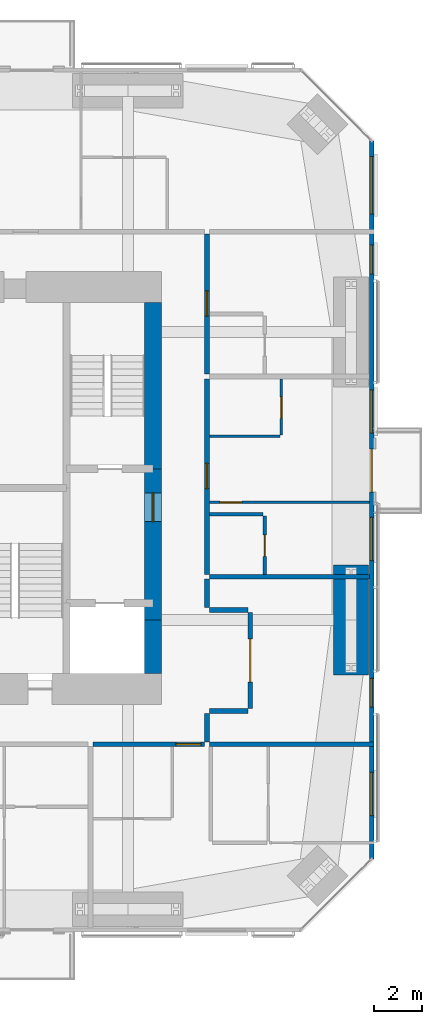
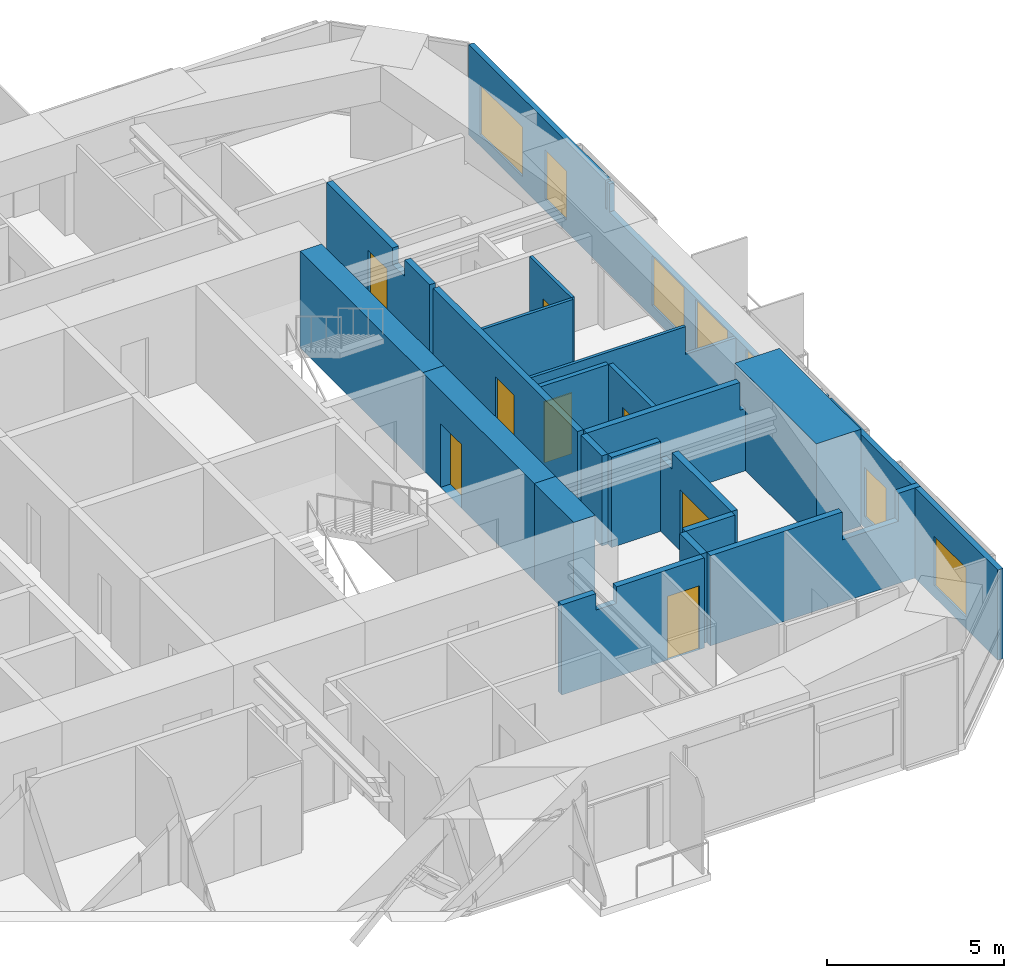
# One storey, part 19 of 22: 20 walls, 9 doors, 6 windows, 15 openings.
"""IFC4 building model written with IfcOpenShell, lengths in metres."""

from ifc_helpers import new_model, si_unit, direction, frame, frame_2d, origin, place, context, subcontext, project, spatial, polyline, rectangle, outline, extrude, material, layer, layer_set, constituent, constituent_set, type_object, element, fill, save


model = new_model("IFC4")

# Units and contexts
model_context = context("Model", 3, precision=1e-05, world=origin(), true_north=direction((0.0, 1.0)))
body_context = subcontext(model_context, "Body", "Model", "MODEL_VIEW")
ifc_project = project(units=[si_unit("LENGTHUNIT", "METRE"), si_unit("AREAUNIT", "SQUARE_METRE"), si_unit("VOLUMEUNIT", "CUBIC_METRE"), si_unit("PLANEANGLEUNIT", "RADIAN"), si_unit("MASSUNIT", "GRAM", prefix="KILO")], contexts=[model_context])

# Site, building, storey
site_placement = place(None, origin())
site = spatial("IfcSite", under=ifc_project, at=site_placement, CompositionType="ELEMENT")
building_placement = place(site_placement, origin())
building = spatial("IfcBuilding", under=site, at=building_placement, Name="Jalousie Tower", CompositionType="ELEMENT")
storey_placement = place(building_placement, frame((0.0, 0.0, 174.449951171875)))
storey = spatial("IfcBuildingStorey", under=building, at=storey_placement, Name="L47", CompositionType="ELEMENT", Elevation=174.449951171875)

# Wall, opening, door
ifc_material_1 = material(Name="Concrete block ASTM C90", Category="concrete")
ifc_constituent_1 = constituent(ifc_material_1, Name="Body")
ifc_material_2 = material(Name="Render")
ifc_constituent_2 = constituent(ifc_material_2, Name="Finish")
ifc_constituent_set_1 = constituent_set(constituents=[ifc_constituent_1, ifc_constituent_2])
wall_type_1 = type_object("IfcWallType", Name="BATHROOM WALL 150", PredefinedType="PLUMBINGWALL", material=ifc_constituent_set_1)
wall_1_placement = place(storey_placement, frame((48.449951171875, 14.89990234375, 0.0), z_axis=(0.0, 0.0, 1.0), x_axis=(0.0, 1.0, 0.0)))
wall_1 = element("IfcWall", 1, at=wall_1_placement, inside=storey, type_object=wall_type_1, Name="Bathroom Wall 150 L47", PredefinedType="PLUMBINGWALL", context=body_context, shape_type="SweptSolid", body=[
    extrude(rectangle(XDim=2.425048828125, YDim=0.14990234375, at=frame_2d((1.21240234375, 0.0))), origin(), (0.0, 0.0, 1.0), 3.110107421875),
])
opening_1_placement = place(wall_1_placement, frame((0.75, 0.0, 0.0)))
opening_1 = element("IfcOpeningElement", 2, at=opening_1_placement, cuts=wall_1, Name="Opening D3", PredefinedType="OPENING", context=body_context, shape_type="SweptSolid", body=[
    extrude(rectangle(XDim=0.89990234375, YDim=2.10009765625, at=frame_2d((0.449951171875, 1.050048828125))), frame((0.0, 0.0849609375, 0.0), z_axis=(0.0, -1.0, 0.0), x_axis=(1.0, 0.0, 0.0)), (0.0, 0.0, 1.0), 0.169921875),
])
ifc_material_3 = material(Name="Timber door", Category="wood")
door_type_1 = type_object("IfcDoorType", Name="BATHROOM DOOR 900", OperationType="SINGLE_SWING_LEFT", PredefinedType="DOOR", material=ifc_material_3)
door_1_placement = place(opening_1_placement, origin())
door_1 = element("IfcDoor", 3, at=door_1_placement, inside=storey, type_object=door_type_1, Name="Apartment 4707 bathroom door", OperationType="SINGLE_SWING_LEFT", OverallHeight=2.10009765625, OverallWidth=0.89990234375, PredefinedType="DOOR", context=body_context, shape_type="SweptSolid", body=[
    extrude(rectangle(XDim=0.89990234375, YDim=2.10009765625, at=frame_2d((0.449951171875, 1.050048828125))), frame((0.0, 0.02490234375, 0.0), z_axis=(0.0, -1.0, 0.0), x_axis=(1.0, 0.0, 0.0)), (0.0, 0.0, 1.0), 0.050048828125),
])
fill(opening_1, door_1)

# Walls
wall_2_placement = place(storey_placement, frame((48.375, 17.39990234375, 0.0), z_axis=(0.0, 0.0, 1.0), x_axis=(-1.0, 0.0, 0.0)))
element("IfcWall", 4, at=wall_2_placement, inside=storey, type_object=wall_type_1, Name="Bathroom Wall 150 L47", PredefinedType="PLUMBINGWALL", context=body_context, shape_type="SweptSolid", body=[
    extrude(rectangle(XDim=2.22509765625, YDim=0.14990234375, at=frame_2d((1.112548828125, 0.0))), origin(), (0.0, 0.0, 1.0), 3.110107421875),
])
ifc_material_4 = material(Name="Concrete f'c 120 MPa", Category="concrete")
ifc_layer_1 = layer(ifc_material_4, 0.699951171875)
ifc_layer_set_1 = layer_set([ifc_layer_1], Name="Concrete f'c 120 MPa")
wall_type_2 = type_object("IfcWallType", Name="CORE WALL 700", PredefinedType="SHEAR", material=ifc_layer_set_1)
wall_3_placement = place(storey_placement, frame((43.800048828125, 10.77490234375, 0.0), z_axis=(0.0, 0.0, 1.0), x_axis=(0.0, 1.0, 0.0)))
element("IfcWall", 5, at=wall_3_placement, inside=storey, type_object=wall_type_2, Name="Core wall EA L47", PredefinedType="SHEAR", context=body_context, shape_type="SweptSolid", body=[
    extrude(rectangle(XDim=2.22509765625, YDim=0.699951171875, at=frame_2d((1.112548828125, 0.0))), origin(), (0.0, 0.0, 1.0), 3.35009765625),
])

# Wall, opening, door
wall_4_placement = place(storey_placement, frame((43.800048828125, 13.0, 0.0), z_axis=(0.0, 0.0, 1.0), x_axis=(0.0, 1.0, 0.0)))
wall_4 = element("IfcWall", 6, at=wall_4_placement, inside=storey, type_object=wall_type_2, Name="Core wall EB L47", PredefinedType="SHEAR", context=body_context, shape_type="SweptSolid", body=[
    extrude(rectangle(XDim=6.300048828125, YDim=0.699951171875, at=frame_2d((3.14990234375, 0.0))), origin(), (0.0, 0.0, 1.0), 3.35009765625),
])
opening_2_placement = place(wall_4_placement, frame((4.10009765625, 0.0, 0.0)))
opening_2 = element("IfcOpeningElement", 7, at=opening_2_placement, cuts=wall_4, Name="Opening D11", PredefinedType="OPENING", context=body_context, shape_type="SweptSolid", body=[
    extrude(rectangle(XDim=1.199951171875, YDim=2.199951171875, at=frame_2d((0.60009765625, 1.10009765625))), frame((0.0, 0.35986328125, 0.0), z_axis=(0.0, -1.0, 0.0), x_axis=(1.0, 0.0, 0.0)), (0.0, 0.0, 1.0), 0.719970703125),
])
ifc_material_5 = material(Name="Steel fire door", Category="steel")
door_type_2 = type_object("IfcDoorType", Name="FIRE DOOR 1200", OperationType="SINGLE_SWING_LEFT", PredefinedType="DOOR", material=ifc_material_5)
door_2_placement = place(opening_2_placement, origin())
door_2 = element("IfcDoor", 8, at=door_2_placement, inside=storey, type_object=door_type_2, Name="Fire-fighting lobby B door", OperationType="SINGLE_SWING_RIGHT", OverallHeight=2.199951171875, OverallWidth=1.199951171875, PredefinedType="DOOR", context=body_context, shape_type="SweptSolid", body=[
    extrude(rectangle(XDim=1.199951171875, YDim=2.199951171875, at=frame_2d((0.60009765625, 1.10009765625))), frame((0.0, 0.02490234375, 0.0), z_axis=(0.0, -1.0, 0.0), x_axis=(1.0, 0.0, 0.0)), (0.0, 0.0, 1.0), 0.050048828125),
])
fill(opening_2, door_2)

# Wall
wall_5_placement = place(storey_placement, frame((43.800048828125, 19.300048828125, 0.0), z_axis=(0.0, 0.0, 1.0), x_axis=(0.0, 1.0, 0.0)))
element("IfcWall", 9, at=wall_5_placement, inside=storey, type_object=wall_type_2, Name="Core wall EC L47", PredefinedType="SHEAR", context=body_context, shape_type="SweptSolid", body=[
    extrude(rectangle(XDim=6.925048828125, YDim=0.699951171875, at=frame_2d((3.46240234375, 0.0))), origin(), (0.0, 0.0, 1.0), 3.35009765625),
])

# Wall, opening, door
ifc_material_6 = material(Name="Concrete block ASTM C90", Category="concrete")
ifc_constituent_3 = constituent(ifc_material_6, Name="Body")
ifc_material_7 = material(Name="Render")
ifc_constituent_4 = constituent(ifc_material_7, Name="Finish")
ifc_constituent_set_2 = constituent_set(constituents=[ifc_constituent_3, ifc_constituent_4])
wall_type_3 = type_object("IfcWallType", Name="CORRIDOR WALL 200", PredefinedType="PARTITIONING", material=ifc_constituent_set_2)
wall_6_placement = place(storey_placement, frame((41.300048828125, 7.824951171875, 0.0), z_axis=(0.0, 0.0, 1.0), x_axis=(1.0, 0.0, 0.0)))
wall_6 = element("IfcWall", 10, at=wall_6_placement, inside=storey, type_object=wall_type_3, Name="Corridor Wall 200 L47", PredefinedType="PARTITIONING", context=body_context, shape_type="SweptSolid", body=[
    extrude(outline(polyline([(0.0, 0.0), (4.64990234375, 0.0), (4.64990234375, 3.110107421875), (1.787353515625, 3.110107421875), (1.787353515625, 2.541015625), (1.112548828125, 2.541015625), (1.112548828125, 3.110107421875), (0.0, 3.110107421875), (0.0, 0.0)])), frame((0.0, 0.10009765625, 0.0), z_axis=(0.0, -1.0, 0.0), x_axis=(1.0, 0.0, 0.0)), (0.0, 0.0, 1.0), 0.199951171875),
])
opening_3_placement = place(wall_6_placement, frame((3.449951171875, 0.0, 0.0)))
opening_3 = element("IfcOpeningElement", 11, at=opening_3_placement, cuts=wall_6, Name="Opening D1", PredefinedType="OPENING", context=body_context, shape_type="SweptSolid", body=[
    extrude(rectangle(XDim=1.050048828125, YDim=2.199951171875, at=frame_2d((0.52490234375, 1.10009765625))), frame((0.0, 0.10986328125, 0.0), z_axis=(0.0, -1.0, 0.0), x_axis=(1.0, 0.0, 0.0)), (0.0, 0.0, 1.0), 0.219970703125),
])
ifc_material_8 = material(Name="Timber fire door", Category="wood")
door_type_3 = type_object("IfcDoorType", Name="APARTMENT ENTRANCE DOOR 1050", OperationType="SINGLE_SWING_LEFT", PredefinedType="DOOR", material=ifc_material_8)
door_3_placement = place(opening_3_placement, frame((1.050048828125, 0.0, 0.0), z_axis=(0.0, 0.0, 1.0), x_axis=(-1.0, 0.0, 0.0)))
door_3 = element("IfcDoor", 12, at=door_3_placement, inside=storey, type_object=door_type_3, Name="Apartment 4703 entrance", OperationType="SINGLE_SWING_RIGHT", OverallHeight=2.199951171875, OverallWidth=1.050048828125, PredefinedType="DOOR", context=body_context, shape_type="SweptSolid", body=[
    extrude(rectangle(XDim=1.050048828125, YDim=2.199951171875, at=frame_2d((0.52490234375, 1.10009765625))), frame((0.0, 0.02490234375, 0.0), z_axis=(0.0, -1.0, 0.0), x_axis=(1.0, 0.0, 0.0)), (0.0, 0.0, 1.0), 0.050048828125),
])
fill(opening_3, door_3)

# Wall
wall_7_placement = place(storey_placement, frame((46.050048828125, 7.925048828125, 0.0), z_axis=(0.0, 0.0, 1.0), x_axis=(0.0, 1.0, 0.0)))
element("IfcWall", 13, at=wall_7_placement, inside=storey, type_object=wall_type_3, Name="Corridor Wall 200 L47", PredefinedType="PARTITIONING", context=body_context, shape_type="SweptSolid", body=[
    extrude(rectangle(XDim=1.1875, YDim=0.199951171875, at=frame_2d((0.59375, 0.0))), origin(), (0.0, 0.0, 1.0), 3.110107421875),
])

# Wall, opening, door
wall_8_placement = place(storey_placement, frame((46.050048828125, 14.89990234375, 0.0), z_axis=(0.0, 0.0, 1.0), x_axis=(0.0, 1.0, 0.0)))
wall_8 = element("IfcWall", 14, at=wall_8_placement, inside=storey, type_object=wall_type_3, Name="Corridor Wall 200 L47", PredefinedType="PARTITIONING", context=body_context, shape_type="SweptSolid", body=[
    extrude(rectangle(XDim=8.150146484375, YDim=0.199951171875, at=frame_2d((4.0751953125, 0.0))), origin(), (0.0, 0.0, 1.0), 3.110107421875),
])
opening_4_placement = place(wall_8_placement, frame((3.574951171875, 0.0, 0.0)))
opening_4 = element("IfcOpeningElement", 15, at=opening_4_placement, cuts=wall_8, Name="Opening D1", PredefinedType="OPENING", context=body_context, shape_type="SweptSolid", body=[
    extrude(rectangle(XDim=1.050048828125, YDim=2.199951171875, at=frame_2d((0.52490234375, 1.10009765625))), frame((0.0, 0.10986328125, 0.0), z_axis=(0.0, -1.0, 0.0), x_axis=(1.0, 0.0, 0.0)), (0.0, 0.0, 1.0), 0.219970703125),
])
door_4_placement = place(opening_4_placement, frame((1.050048828125, 0.0, 0.0), z_axis=(0.0, 0.0, 1.0), x_axis=(-1.0, 0.0, 0.0)))
door_4 = element("IfcDoor", 16, at=door_4_placement, inside=storey, type_object=door_type_3, Name="Apartment 4707 entrance", OperationType="SINGLE_SWING_RIGHT", OverallHeight=2.199951171875, OverallWidth=1.050048828125, PredefinedType="DOOR", context=body_context, shape_type="SweptSolid", body=[
    extrude(rectangle(XDim=1.050048828125, YDim=2.199951171875, at=frame_2d((0.52490234375, 1.10009765625))), frame((0.0, 0.02490234375, 0.0), z_axis=(0.0, -1.0, 0.0), x_axis=(1.0, 0.0, 0.0)), (0.0, 0.0, 1.0), 0.050048828125),
])
fill(opening_4, door_4)

wall_9_placement = place(storey_placement, frame((46.050048828125, 23.25, 0.0), z_axis=(0.0, 0.0, 1.0), x_axis=(0.0, 1.0, 0.0)))
wall_9 = element("IfcWall", 17, at=wall_9_placement, inside=storey, type_object=wall_type_3, Name="Corridor Wall 200 L47", PredefinedType="PARTITIONING", context=body_context, shape_type="SweptSolid", body=[
    extrude(outline(polyline([(0.0, 0.0), (5.824951171875, 0.0), (5.824951171875, 3.110107421875), (2.08740234375, 3.110107421875), (2.08740234375, 2.541015625), (1.41259765625, 2.541015625), (1.41259765625, 3.110107421875), (0.0, 3.110107421875), (0.0, 0.0)])), frame((0.0, 0.10009765625, 0.0), z_axis=(0.0, -1.0, 0.0), x_axis=(1.0, 0.0, 0.0)), (0.0, 0.0, 1.0), 0.199951171875),
])
opening_5_placement = place(wall_9_placement, frame((2.41259765625, 0.0, 0.0)))
opening_5 = element("IfcOpeningElement", 18, at=opening_5_placement, cuts=wall_9, Name="Opening D1", PredefinedType="OPENING", context=body_context, shape_type="SweptSolid", body=[
    extrude(rectangle(XDim=1.050048828125, YDim=2.199951171875, at=frame_2d((0.52490234375, 1.10009765625))), frame((0.0, 0.10986328125, 0.0), z_axis=(0.0, -1.0, 0.0), x_axis=(1.0, 0.0, 0.0)), (0.0, 0.0, 1.0), 0.219970703125),
])
door_5_placement = place(opening_5_placement, frame((1.050048828125, 0.0, 0.0), z_axis=(0.0, 0.0, 1.0), x_axis=(-1.0, 0.0, 0.0)))
door_5 = element("IfcDoor", 19, at=door_5_placement, inside=storey, type_object=door_type_3, Name="Apartment 4708 entrance", OperationType="SINGLE_SWING_LEFT", OverallHeight=2.199951171875, OverallWidth=1.050048828125, PredefinedType="DOOR", context=body_context, shape_type="SweptSolid", body=[
    extrude(rectangle(XDim=1.050048828125, YDim=2.199951171875, at=frame_2d((0.52490234375, 1.10009765625))), frame((0.0, 0.02490234375, 0.0), z_axis=(0.0, -1.0, 0.0), x_axis=(1.0, 0.0, 0.0)), (0.0, 0.0, 1.0), 0.050048828125),
])
fill(opening_5, door_5)

# Wall
wall_10_placement = place(storey_placement, frame((46.050048828125, 13.512451171875, 0.0), z_axis=(0.0, 0.0, 1.0), x_axis=(0.0, 1.0, 0.0)))
element("IfcWall", 20, at=wall_10_placement, inside=storey, type_object=wall_type_3, Name="Corridor Wall 200 L47", PredefinedType="PARTITIONING", context=body_context, shape_type="SweptSolid", body=[
    extrude(rectangle(XDim=1.1875, YDim=0.199951171875, at=frame_2d((0.59375, 0.0))), origin(), (0.0, 0.0, 1.0), 3.110107421875),
])

# Wall, opening, door
wall_11_placement = place(storey_placement, frame((47.85009765625, 9.3125, 0.0), z_axis=(0.0, 0.0, 1.0), x_axis=(0.0, 1.0, 0.0)))
wall_11 = element("IfcWall", 21, at=wall_11_placement, inside=storey, type_object=wall_type_3, Name="Corridor Wall 200 L47", PredefinedType="PARTITIONING", context=body_context, shape_type="SweptSolid", body=[
    extrude(outline(polyline([(0.0, 0.0), (4.0, 0.0), (4.0, 3.110107421875), (4.0, 2.541015625), (3.35009765625, 2.541015625), (3.35009765625, 3.110107421875), (0.0, 3.110107421875), (0.0, 0.0)])), frame((0.0, 0.10009765625, 0.0), z_axis=(0.0, -1.0, 0.0), x_axis=(1.0, 0.0, 0.0)), (0.0, 0.0, 1.0), 0.199951171875),
])
opening_6_placement = place(wall_11_placement, frame((1.10009765625, 0.0, 0.0)))
opening_6 = element("IfcOpeningElement", 22, at=opening_6_placement, cuts=wall_11, Name="Opening D22", PredefinedType="OPENING", context=body_context, shape_type="SweptSolid", body=[
    extrude(rectangle(XDim=1.800048828125, YDim=2.10009765625, at=frame_2d((0.89990234375, 1.050048828125))), frame((0.0, 0.10986328125, 0.0), z_axis=(0.0, -1.0, 0.0), x_axis=(1.0, 0.0, 0.0)), (0.0, 0.0, 1.0), 0.219970703125),
])
ifc_material_9 = material(Name="Timber fire door", Category="wood")
door_type_4 = type_object("IfcDoorType", Name="CORRIDOR DOUBLE DOOR 1800", OperationType="DOUBLE_DOOR_SINGLE_SWING", PredefinedType="DOOR", material=ifc_material_9)
door_6_placement = place(opening_6_placement, frame((1.800048828125, 0.0, 0.0), z_axis=(0.0, 0.0, 1.0), x_axis=(-1.0, 0.0, 0.0)))
door_6 = element("IfcDoor", 23, at=door_6_placement, inside=storey, type_object=door_type_4, Name="Residents' library door", OperationType="DOUBLE_DOOR_SINGLE_SWING", OverallHeight=2.10009765625, OverallWidth=1.800048828125, PredefinedType="DOOR", context=body_context, shape_type="SweptSolid", body=[
    extrude(rectangle(XDim=1.800048828125, YDim=2.10009765625, at=frame_2d((0.89990234375, 1.050048828125))), frame((0.0, 0.02490234375, 0.0), z_axis=(0.0, -1.0, 0.0), x_axis=(1.0, 0.0, 0.0)), (0.0, 0.0, 1.0), 0.050048828125),
])
fill(opening_6, door_6)

# Walls
for number, where, z_axis, x_axis, name in (
    (24, (46.14990234375, 9.21240234375, 0.0), (0.0, 0.0, 1.0), (1.0, 0.0, 0.0), "Corridor Wall 200 L47"),
    (25, (46.14990234375, 13.41259765625, 0.0), (0.0, 0.0, 1.0), (1.0, 0.0, 0.0), "Corridor Wall 200 L47"),
):
    element("IfcWall", number, at=place(storey_placement, frame(where, z_axis=z_axis, x_axis=x_axis)), inside=storey, type_object=wall_type_3, Name=name, PredefinedType="PARTITIONING", context=body_context, shape_type="SweptSolid", body=[
        extrude(rectangle(XDim=1.60009765625, YDim=0.199951171875, at=frame_2d((0.800048828125, 0.0))), origin(), (0.0, 0.0, 1.0), 3.110107421875),
    ])

# Wall, openings, door, windows
ifc_material_10 = material(Name="Concrete f'c 40 MPa", Category="concrete")
ifc_constituent_5 = constituent(ifc_material_10, Name="Body")
ifc_material_11 = material(Name="Render, pastel lemon")
ifc_constituent_6 = constituent(ifc_material_11, Name="Finish")
ifc_constituent_set_3 = constituent_set(constituents=[ifc_constituent_5, ifc_constituent_6])
wall_type_4 = type_object("IfcWallType", Name="EXTERNAL WALL 175 LEMON RENDER", PredefinedType="SOLIDWALL", material=ifc_constituent_set_3)
wall_12_placement = place(storey_placement, frame((52.91259765625, 3.05126953125, 0.0), z_axis=(0.0, 0.0, 1.0), x_axis=(0.0, 1.0, 0.0)))
wall_12 = element("IfcWall", 26, at=wall_12_placement, inside=storey, type_object=wall_type_4, Name="External Wall 175 Lemon Render L47", PredefinedType="SOLIDWALL", context=body_context, shape_type="SweptSolid", body=[
    extrude(outline(polyline([(0.0, 0.0), (29.8974609375, 0.0), (29.8974609375, 3.110107421875), (22.16748046875, 3.110107421875), (22.16748046875, 2.150146484375), (22.073974609375, 2.150146484375), (22.073974609375, 3.110107421875), (21.94873046875, 3.110107421875), (21.94873046875, 2.150146484375), (9.94873046875, 2.150146484375), (9.94873046875, 3.110107421875), (9.846923828125, 3.110107421875), (9.846923828125, 2.150146484375), (9.7060546875, 2.150146484375), (9.7060546875, 3.110107421875), (0.0, 3.110107421875), (0.0, 0.0)])), frame((0.0, 0.08740234375, 0.0), z_axis=(0.0, -1.0, 0.0), x_axis=(1.0, 0.0, 0.0)), (0.0, 0.0, 1.0), 0.175048828125),
])
opening_7_placement = place(wall_12_placement, frame((1.796875, 0.0, 0.39990234375)))
opening_7 = element("IfcOpeningElement", 27, at=opening_7_placement, cuts=wall_12, Name="Opening W-BED170", PredefinedType="OPENING", context=body_context, shape_type="SweptSolid", body=[
    extrude(rectangle(XDim=1.800048828125, YDim=1.699951171875, at=frame_2d((0.89990234375, 0.85009765625))), frame((0.0, 0.097412109375, 0.0), z_axis=(0.0, -1.0, 0.0), x_axis=(1.0, 0.0, 0.0)), (0.0, 0.0, 1.0), 0.195068359375),
])
opening_8_placement = place(wall_12_placement, frame((6.320556640625, 0.0, 0.39990234375)))
opening_8 = element("IfcOpeningElement", 28, at=opening_8_placement, cuts=wall_12, Name="Opening W-COR170", PredefinedType="OPENING", context=body_context, shape_type="SweptSolid", body=[
    extrude(rectangle(XDim=1.199951171875, YDim=1.699951171875, at=frame_2d((0.60009765625, 0.85009765625))), frame((0.0, 0.097412109375, 0.0), z_axis=(0.0, -1.0, 0.0), x_axis=(1.0, 0.0, 0.0)), (0.0, 0.0, 1.0), 0.195068359375),
])
opening_9_placement = place(wall_12_placement, frame((12.423583984375, 0.0, 0.39990234375)))
opening_9 = element("IfcOpeningElement", 29, at=opening_9_placement, cuts=wall_12, Name="Opening W-BED170", PredefinedType="OPENING", context=body_context, shape_type="SweptSolid", body=[
    extrude(rectangle(XDim=1.800048828125, YDim=1.699951171875, at=frame_2d((0.89990234375, 0.85009765625))), frame((0.0, 0.097412109375, 0.0), z_axis=(0.0, -1.0, 0.0), x_axis=(1.0, 0.0, 0.0)), (0.0, 0.0, 1.0), 0.195068359375),
])
opening_10_placement = place(wall_12_placement, frame((15.273681640625, 0.0, 0.0)))
opening_10 = element("IfcOpeningElement", 30, at=opening_10_placement, cuts=wall_12, Name="Opening D-BAL21", PredefinedType="OPENING", context=body_context, shape_type="SweptSolid", body=[
    extrude(rectangle(XDim=1.800048828125, YDim=2.10009765625, at=frame_2d((0.89990234375, 1.050048828125))), frame((0.0, 0.097412109375, 0.0), z_axis=(0.0, -1.0, 0.0), x_axis=(1.0, 0.0, 0.0)), (0.0, 0.0, 1.0), 0.195068359375),
])
opening_11_placement = place(wall_12_placement, frame((17.736083984375, 0.0, 0.39990234375)))
opening_11 = element("IfcOpeningElement", 31, at=opening_11_placement, cuts=wall_12, Name="Opening W-BED170", PredefinedType="OPENING", context=body_context, shape_type="SweptSolid", body=[
    extrude(rectangle(XDim=1.800048828125, YDim=1.699951171875, at=frame_2d((0.89990234375, 0.85009765625))), frame((0.0, 0.097412109375, 0.0), z_axis=(0.0, -1.0, 0.0), x_axis=(1.0, 0.0, 0.0)), (0.0, 0.0, 1.0), 0.195068359375),
])
opening_12_placement = place(wall_12_placement, frame((24.373046875, 0.0, 0.39990234375)))
opening_12 = element("IfcOpeningElement", 32, at=opening_12_placement, cuts=wall_12, Name="Opening W-COR170", PredefinedType="OPENING", context=body_context, shape_type="SweptSolid", body=[
    extrude(rectangle(XDim=1.199951171875, YDim=1.699951171875, at=frame_2d((0.60009765625, 0.85009765625))), frame((0.0, 0.097412109375, 0.0), z_axis=(0.0, -1.0, 0.0), x_axis=(1.0, 0.0, 0.0)), (0.0, 0.0, 1.0), 0.195068359375),
])
opening_13_placement = place(wall_12_placement, frame((26.860595703125, 0.0, 0.39990234375)))
opening_13 = element("IfcOpeningElement", 33, at=opening_13_placement, cuts=wall_12, Name="Opening W-LIV170", PredefinedType="OPENING", context=body_context, shape_type="SweptSolid", body=[
    extrude(rectangle(XDim=2.39990234375, YDim=1.699951171875, at=frame_2d((1.199951171875, 0.85009765625))), frame((0.0, 0.097412109375, 0.0), z_axis=(0.0, -1.0, 0.0), x_axis=(1.0, 0.0, 0.0)), (0.0, 0.0, 1.0), 0.195068359375),
])
ifc_material_12 = material(Name="Aluminium frame, impact-rated glazing", Category="aluminium")
door_type_5 = type_object("IfcDoorType", Name="BALCONY DOOR 1800x2100", OperationType="SLIDING_TO_LEFT", PredefinedType="DOOR", material=ifc_material_12)
door_7_placement = place(opening_10_placement, origin())
door_7 = element("IfcDoor", 34, at=door_7_placement, inside=storey, type_object=door_type_5, Name="Apartment 4707 studio living and sleeping room balcony door", OperationType="SLIDING_TO_LEFT", OverallHeight=2.10009765625, OverallWidth=1.800048828125, PredefinedType="DOOR", context=body_context, shape_type="SweptSolid", body=[
    extrude(rectangle(XDim=1.800048828125, YDim=2.10009765625, at=frame_2d((0.89990234375, 1.050048828125))), frame((0.0, 0.02490234375, 0.0), z_axis=(0.0, -1.0, 0.0), x_axis=(1.0, 0.0, 0.0)), (0.0, 0.0, 1.0), 0.050048828125),
])
fill(opening_10, door_7)
ifc_material_13 = material(Name="Aluminium frame, impact-rated glazing", Category="aluminium")
window_type_1 = type_object("IfcWindowType", Name="WINDOW BED 1800x1700", PartitioningType="SINGLE_PANEL", PredefinedType="WINDOW", material=ifc_material_13)
window_1_placement = place(opening_7_placement, origin())
window_1 = element("IfcWindow", 35, at=window_1_placement, inside=storey, type_object=window_type_1, Name="Apartment 4703 bedroom 1 window", OverallHeight=1.699951171875, OverallWidth=1.800048828125, PartitioningType="SINGLE_PANEL", PredefinedType="WINDOW", context=body_context, shape_type="SweptSolid", body=[
    extrude(rectangle(XDim=1.800048828125, YDim=1.699951171875, at=frame_2d((0.89990234375, 0.85009765625))), frame((0.0, 0.030029296875, 0.0), z_axis=(0.0, -1.0, 0.0), x_axis=(1.0, 0.0, 0.0)), (0.0, 0.0, 1.0), 0.06005859375),
])
fill(opening_7, window_1)
window_2_placement = place(opening_9_placement, origin())
window_2 = element("IfcWindow", 36, at=window_2_placement, inside=storey, type_object=window_type_1, Name="Apartment 4707 study window", OverallHeight=1.699951171875, OverallWidth=1.800048828125, PartitioningType="SINGLE_PANEL", PredefinedType="WINDOW", context=body_context, shape_type="SweptSolid", body=[
    extrude(rectangle(XDim=1.800048828125, YDim=1.699951171875, at=frame_2d((0.89990234375, 0.85009765625))), frame((0.0, 0.030029296875, 0.0), z_axis=(0.0, -1.0, 0.0), x_axis=(1.0, 0.0, 0.0)), (0.0, 0.0, 1.0), 0.06005859375),
])
fill(opening_9, window_2)
window_3_placement = place(opening_11_placement, origin())
window_3 = element("IfcWindow", 37, at=window_3_placement, inside=storey, type_object=window_type_1, Name="Apartment 4707 studio living and sleeping room window", OverallHeight=1.699951171875, OverallWidth=1.800048828125, PartitioningType="SINGLE_PANEL", PredefinedType="WINDOW", context=body_context, shape_type="SweptSolid", body=[
    extrude(rectangle(XDim=1.800048828125, YDim=1.699951171875, at=frame_2d((0.89990234375, 0.85009765625))), frame((0.0, 0.030029296875, 0.0), z_axis=(0.0, -1.0, 0.0), x_axis=(1.0, 0.0, 0.0)), (0.0, 0.0, 1.0), 0.06005859375),
])
fill(opening_11, window_3)
ifc_material_14 = material(Name="Aluminium frame, impact-rated glazing", Category="aluminium")
window_type_2 = type_object("IfcWindowType", Name="WINDOW COR 1200x1700", PartitioningType="SINGLE_PANEL", PredefinedType="WINDOW", material=ifc_material_14)
window_4_placement = place(opening_8_placement, origin())
window_4 = element("IfcWindow", 38, at=window_4_placement, inside=storey, type_object=window_type_2, Name="Residents' library window", OverallHeight=1.699951171875, OverallWidth=1.199951171875, PartitioningType="SINGLE_PANEL", PredefinedType="WINDOW", context=body_context, shape_type="SweptSolid", body=[
    extrude(rectangle(XDim=1.199951171875, YDim=1.699951171875, at=frame_2d((0.60009765625, 0.85009765625))), frame((0.0, 0.030029296875, 0.0), z_axis=(0.0, -1.0, 0.0), x_axis=(1.0, 0.0, 0.0)), (0.0, 0.0, 1.0), 0.06005859375),
])
fill(opening_8, window_4)
window_5_placement = place(opening_12_placement, origin())
window_5 = element("IfcWindow", 39, at=window_5_placement, inside=storey, type_object=window_type_2, Name="Apartment 4708 studio kitchen, living and sleeping room window", OverallHeight=1.699951171875, OverallWidth=1.199951171875, PartitioningType="SINGLE_PANEL", PredefinedType="WINDOW", context=body_context, shape_type="SweptSolid", body=[
    extrude(rectangle(XDim=1.199951171875, YDim=1.699951171875, at=frame_2d((0.60009765625, 0.85009765625))), frame((0.0, 0.030029296875, 0.0), z_axis=(0.0, -1.0, 0.0), x_axis=(1.0, 0.0, 0.0)), (0.0, 0.0, 1.0), 0.06005859375),
])
fill(opening_12, window_5)
ifc_material_15 = material(Name="Aluminium frame, impact-rated glazing", Category="aluminium")
window_type_3 = type_object("IfcWindowType", Name="WINDOW LIV 2400x1700", PartitioningType="DOUBLE_PANEL_VERTICAL", PredefinedType="WINDOW", material=ifc_material_15)
window_6_placement = place(opening_13_placement, origin())
window_6 = element("IfcWindow", 40, at=window_6_placement, inside=storey, type_object=window_type_3, Name="Apartment 4704 living and dining room window", OverallHeight=1.699951171875, OverallWidth=2.39990234375, PartitioningType="SINGLE_PANEL", PredefinedType="WINDOW", context=body_context, shape_type="SweptSolid", body=[
    extrude(rectangle(XDim=2.39990234375, YDim=1.699951171875, at=frame_2d((1.199951171875, 0.85009765625))), frame((0.0, 0.030029296875, 0.0), z_axis=(0.0, -1.0, 0.0), x_axis=(1.0, 0.0, 0.0)), (0.0, 0.0, 1.0), 0.06005859375),
])
fill(opening_13, window_6)

# Wall, opening, door
ifc_material_16 = material(Name="Gypsum board", Category="gypsum")
ifc_constituent_7 = constituent(ifc_material_16, Name="Body")
ifc_material_17 = material(Name="Light-gauge steel studs ASTM A653 SS Grade 33", Category="steel")
ifc_constituent_8 = constituent(ifc_material_17, Name="Framing")
ifc_constituent_set_4 = constituent_set(constituents=[ifc_constituent_7, ifc_constituent_8])
wall_type_5 = type_object("IfcWallType", Name="PARTITION 100", PredefinedType="PARTITIONING", material=ifc_constituent_set_4)
wall_13_placement = place(storey_placement, frame((52.824951171875, 17.89990234375, 0.0), z_axis=(0.0, 0.0, 1.0), x_axis=(-1.0, 0.0, 0.0)))
wall_13 = element("IfcWall", 41, at=wall_13_placement, inside=storey, type_object=wall_type_5, Name="Partition 100 L47", PredefinedType="PARTITIONING", context=body_context, shape_type="SweptSolid", body=[
    extrude(outline(polyline([(0.0, 0.0), (6.675048828125, 0.0), (6.675048828125, 3.110107421875), (1.635009765625, 3.110107421875), (1.635009765625, 2.150146484375), (0.0, 2.150146484375), (0.0, 3.110107421875), (0.0, 0.0)])), frame((0.0, 0.050048828125, 0.0), z_axis=(0.0, -1.0, 0.0), x_axis=(1.0, 0.0, 0.0)), (0.0, 0.0, 1.0), 0.10009765625),
])
opening_14_placement = place(wall_13_placement, frame((5.324951171875, 0.0, 0.0)))
opening_14 = element("IfcOpeningElement", 42, at=opening_14_placement, cuts=wall_13, Name="Opening D2", PredefinedType="OPENING", context=body_context, shape_type="SweptSolid", body=[
    extrude(rectangle(XDim=0.89990234375, YDim=2.10009765625, at=frame_2d((0.449951171875, 1.050048828125))), frame((0.0, 0.06005859375, 0.0), z_axis=(0.0, -1.0, 0.0), x_axis=(1.0, 0.0, 0.0)), (0.0, 0.0, 1.0), 0.1201171875),
])
ifc_material_18 = material(Name="Timber door", Category="wood")
door_type_6 = type_object("IfcDoorType", Name="BEDROOM DOOR 900", OperationType="SINGLE_SWING_LEFT", PredefinedType="DOOR", material=ifc_material_18)
door_8_placement = place(opening_14_placement, frame((0.89990234375, 0.0, 0.0), z_axis=(0.0, 0.0, 1.0), x_axis=(-1.0, 0.0, 0.0)))
door_8 = element("IfcDoor", 43, at=door_8_placement, inside=storey, type_object=door_type_6, Name="Apartment 4707 study door", OperationType="SINGLE_SWING_LEFT", OverallHeight=2.10009765625, OverallWidth=0.89990234375, PredefinedType="DOOR", context=body_context, shape_type="SweptSolid", body=[
    extrude(rectangle(XDim=0.89990234375, YDim=2.10009765625, at=frame_2d((0.449951171875, 1.050048828125))), frame((0.0, 0.02490234375, 0.0), z_axis=(0.0, -1.0, 0.0), x_axis=(1.0, 0.0, 0.0)), (0.0, 0.0, 1.0), 0.050048828125),
])
fill(opening_14, door_8)

wall_14_placement = place(storey_placement, frame((49.14990234375, 20.699951171875, 0.0), z_axis=(0.0, 0.0, 1.0), x_axis=(0.0, 1.0, 0.0)))
wall_14 = element("IfcWall", 44, at=wall_14_placement, inside=storey, type_object=wall_type_5, Name="Partition 100 L47", PredefinedType="PARTITIONING", context=body_context, shape_type="SweptSolid", body=[
    extrude(rectangle(XDim=2.35009765625, YDim=0.10009765625, at=frame_2d((1.175048828125, 0.0))), origin(), (0.0, 0.0, 1.0), 3.110107421875),
])
opening_15_placement = place(wall_14_placement, frame((0.699951171875, 0.0, 0.0)))
opening_15 = element("IfcOpeningElement", 45, at=opening_15_placement, cuts=wall_14, Name="Opening D7", PredefinedType="OPENING", context=body_context, shape_type="SweptSolid", body=[
    extrude(rectangle(XDim=0.89990234375, YDim=2.10009765625, at=frame_2d((0.449951171875, 1.050048828125))), frame((0.0, 0.06005859375, 0.0), z_axis=(0.0, -1.0, 0.0), x_axis=(1.0, 0.0, 0.0)), (0.0, 0.0, 1.0), 0.1201171875),
])
ifc_material_19 = material(Name="Timber door", Category="wood")
door_type_7 = type_object("IfcDoorType", Name="INTERNAL DOOR 900", OperationType="SINGLE_SWING_LEFT", PredefinedType="DOOR", material=ifc_material_19)
door_9_placement = place(opening_15_placement, origin())
door_9 = element("IfcDoor", 46, at=door_9_placement, inside=storey, type_object=door_type_7, Name="Apartment 4707 kitchen door", OperationType="SINGLE_SWING_LEFT", OverallHeight=2.10009765625, OverallWidth=0.89990234375, PredefinedType="DOOR", context=body_context, shape_type="SweptSolid", body=[
    extrude(rectangle(XDim=0.89990234375, YDim=2.10009765625, at=frame_2d((0.449951171875, 1.050048828125))), frame((0.0, 0.02490234375, 0.0), z_axis=(0.0, -1.0, 0.0), x_axis=(1.0, 0.0, 0.0)), (0.0, 0.0, 1.0), 0.050048828125),
])
fill(opening_15, door_9)

# Walls
wall_15_placement = place(storey_placement, frame((49.10009765625, 20.64990234375, 0.0), z_axis=(0.0, 0.0, 1.0), x_axis=(-1.0, 0.0, 0.0)))
element("IfcWall", 47, at=wall_15_placement, inside=storey, type_object=wall_type_5, Name="Partition 100 L47", PredefinedType="PARTITIONING", context=body_context, shape_type="SweptSolid", body=[
    extrude(rectangle(XDim=2.9501953125, YDim=0.10009765625, at=frame_2d((1.47509765625, 0.0))), origin(), (0.0, 0.0, 1.0), 3.110107421875),
])
ifc_material_20 = material(Name="Concrete block ASTM C90", Category="concrete")
ifc_constituent_9 = constituent(ifc_material_20, Name="Body")
ifc_material_21 = material(Name="Render")
ifc_constituent_10 = constituent(ifc_material_21, Name="Finish")
ifc_constituent_set_5 = constituent_set(constituents=[ifc_constituent_9, ifc_constituent_10])
wall_type_6 = type_object("IfcWallType", Name="PARTY WALL 200", PredefinedType="PARTITIONING", material=ifc_constituent_set_5)
wall_16_placement = place(storey_placement, frame((46.14990234375, 7.824951171875, 0.0), z_axis=(0.0, 0.0, 1.0), x_axis=(1.0, 0.0, 0.0)))
element("IfcWall", 48, at=wall_16_placement, inside=storey, type_object=wall_type_6, Name="Party Wall 200 L47", PredefinedType="PARTITIONING", context=body_context, shape_type="SweptSolid", body=[
    extrude(outline(polyline([(0.0, 0.0), (6.85009765625, 0.0), (6.85009765625, 3.110107421875), (6.138427734375, 3.110107421875), (6.138427734375, 2.150146484375), (4.302734375, 2.150146484375), (4.302734375, 3.110107421875), (0.0, 3.110107421875), (0.0, 0.0)])), frame((0.0, 0.10009765625, 0.0), z_axis=(0.0, -1.0, 0.0), x_axis=(1.0, 0.0, 0.0)), (0.0, 0.0, 1.0), 0.199951171875),
])
wall_17_placement = place(storey_placement, frame((52.824951171875, 14.800048828125, 0.0), z_axis=(0.0, 0.0, 1.0), x_axis=(-1.0, 0.0, 0.0)))
element("IfcWall", 49, at=wall_17_placement, inside=storey, type_object=wall_type_6, Name="Party Wall 200 L47", PredefinedType="PARTITIONING", context=body_context, shape_type="SweptSolid", body=[
    extrude(outline(polyline([(0.52880859375, 2.150146484375), (0.0, 2.150146484375), (0.0, 0.0), (0.52880859375, 0.0), (0.52880859375, 0.0390625), (1.021240234375, 0.0390625), (1.021240234375, 0.0), (6.675048828125, 0.0), (6.675048828125, 3.110107421875), (1.68505859375, 3.110107421875), (1.68505859375, 2.150146484375), (1.021240234375, 2.150146484375), (1.021240234375, 2.111083984375), (0.52880859375, 2.111083984375), (0.52880859375, 2.150146484375)])), frame((0.0, 0.10009765625, 0.0), z_axis=(0.0, -1.0, 0.0), x_axis=(1.0, 0.0, 0.0)), (0.0, 0.0, 1.0), 0.199951171875),
])
ifc_material_22 = material(Name="Concrete f'c 120 MPa", Category="concrete")
ifc_layer_2 = layer(ifc_material_22, 1.449951171875)
ifc_layer_set_2 = layer_set([ifc_layer_2], Name="Concrete f'c 120 MPa")
wall_type_7 = type_object("IfcWallType", Name="RC WALL PIER 1450", PredefinedType="SHEAR", material=ifc_layer_set_2)
wall_18_placement = place(storey_placement, frame((52.050048828125, 10.699951171875, 0.0), z_axis=(0.0, 0.0, 1.0), x_axis=(0.0, 1.0, 0.0)))
element("IfcWall", 50, at=wall_18_placement, inside=storey, type_object=wall_type_7, Name="Wall pier 06 L47", PredefinedType="SHEAR", context=body_context, shape_type="SweptSolid", body=[
    extrude(rectangle(XDim=4.60009765625, YDim=1.449951171875, at=frame_2d((2.300048828125, 0.0))), origin(), (0.0, 0.0, 1.0), 3.35009765625),
])

save(model, "model.ifc")
